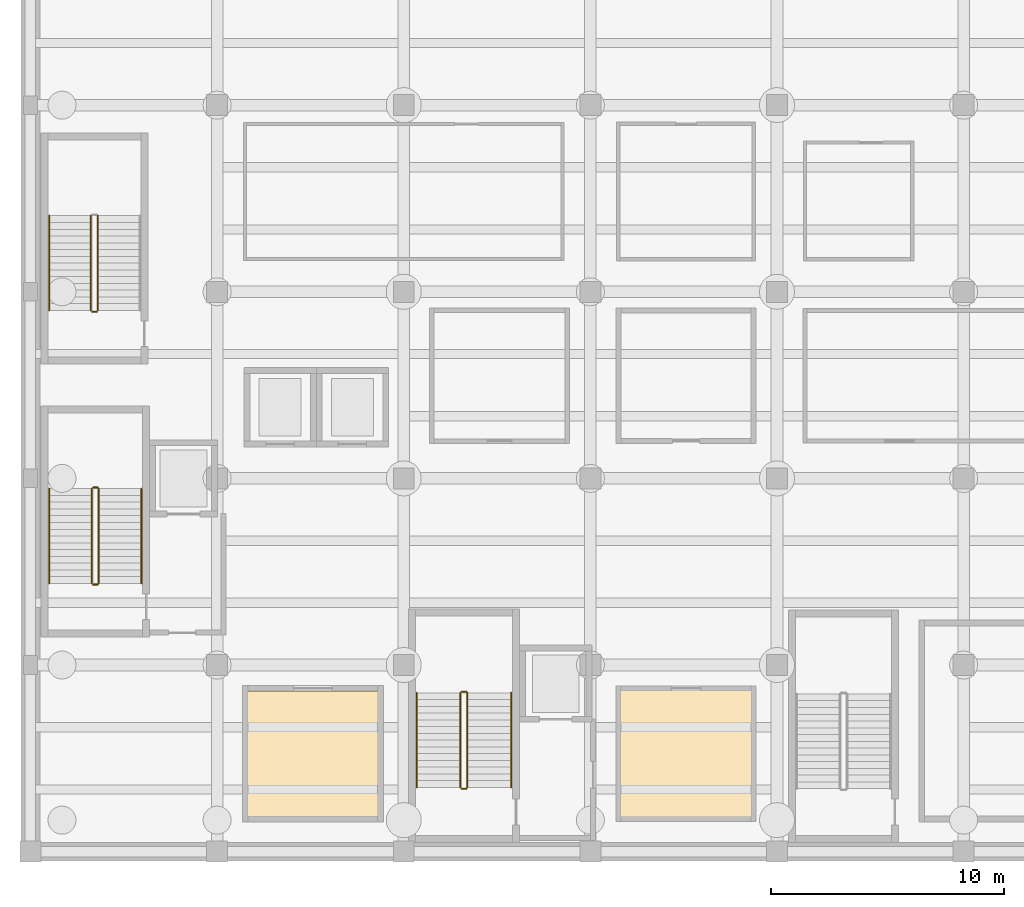
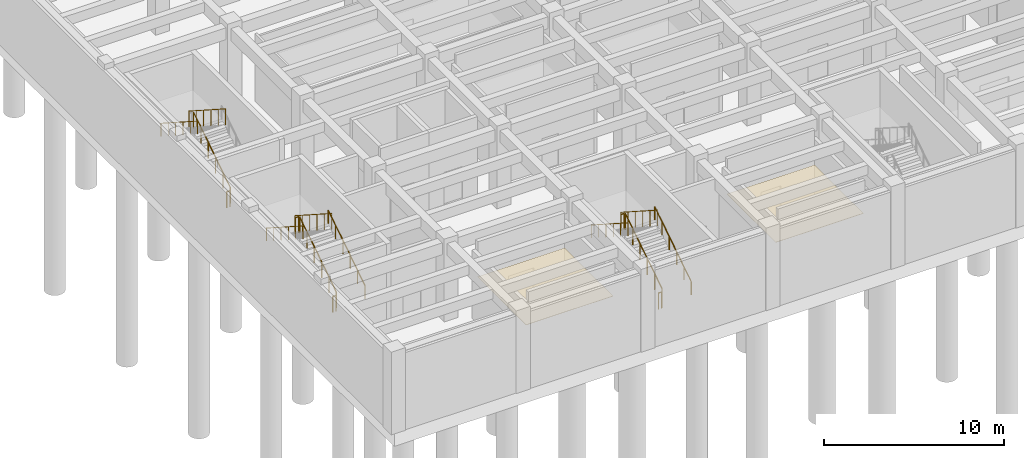
# One storey, part 13 of 18: 16 railings, 2 coverings.
"""IFC4 building model written with IfcOpenShell, lengths in metres."""

from ifc_helpers import new_model, si_unit, direction, frame, origin, origin_2d, place, context, subcontext, project, spatial, polyline, circle, outline, extrude, material, layer, layer_set, type_object, element, save


model = new_model("IFC4")

# Units and contexts
model_context = context("Model", 3, precision=1e-05, world=origin(), true_north=direction((0.0, 1.0)))
body_context = subcontext(model_context, "Body", "Model", "MODEL_VIEW")
ifc_project = project(units=[si_unit("LENGTHUNIT", "METRE"), si_unit("AREAUNIT", "SQUARE_METRE"), si_unit("VOLUMEUNIT", "CUBIC_METRE"), si_unit("PLANEANGLEUNIT", "RADIAN"), si_unit("MASSUNIT", "GRAM", prefix="KILO")], contexts=[model_context])

# Site, building, storey
site_placement = place(None, origin())
site = spatial("IfcSite", under=ifc_project, at=site_placement, CompositionType="ELEMENT")
building_placement = place(site_placement, origin())
building = spatial("IfcBuilding", under=site, at=building_placement, Name="Drelvath Fold Interchange", CompositionType="ELEMENT")
storey_placement = place(building_placement, frame((0.0, 0.0, -11.199951171875)))
storey = spatial("IfcBuildingStorey", under=building, at=storey_placement, Name="B2", CompositionType="ELEMENT", Elevation=-11.199951171875)

# Coverings
ifc_material_1 = material(Name="Perforated Aluminium Acoustic Ceiling", Category="aluminium")
ifc_layer = layer(ifc_material_1, 0.01806640625, Name="Perforated Aluminium Acoustic Ceiling")
ifc_layer_set = layer_set([ifc_layer], Name="Perforated Aluminium Acoustic Ceiling")
covering_type = type_object("IfcCoveringType", Name="CV-CEIL-AL18", PredefinedType="CEILING", material=ifc_layer_set)
covering_1_placement = place(storey_placement, frame((0.0, 0.0, 2.829833984375)))
element("IfcCovering", 1, at=covering_1_placement, inside=storey, type_object=covering_type, Name="Traction Power Substation West acoustic ceiling", PredefinedType="CEILING", context=body_context, shape_type="SweptSolid", body=[
    extrude(outline(polyline([(13.31201171875, 4.512939453125), (18.887939453125, 4.512939453125), (18.887939453125, 9.886962890625), (13.31201171875, 9.886962890625), (13.31201171875, 4.512939453125)])), origin(), (0.0, 0.0, 1.0), 0.02001953125),
])
covering_2_placement = place(storey_placement, frame((0.0, 0.0, 2.829833984375)))
element("IfcCovering", 2, at=covering_2_placement, inside=storey, type_object=covering_type, Name="Emergency UPS Battery Room acoustic ceiling", PredefinedType="CEILING", context=body_context, shape_type="SweptSolid", body=[
    extrude(outline(polyline([(29.294921875, 4.4951171875), (34.905029296875, 4.4951171875), (34.905029296875, 9.905029296875), (29.294921875, 9.905029296875), (29.294921875, 4.4951171875)])), origin(), (0.0, 0.0, 1.0), 0.02001953125),
])

# Railings
ifc_material_2 = material(Name="Stainless Steel 316L", Category="steel")
railing_type_1 = type_object("IfcRailingType", Name="RL-GRD1100", PredefinedType="GUARDRAIL", material=ifc_material_2)
railing_1_placement = place(storey_placement, frame((6.929931640625, 14.5, 0.1865234375)))
element("IfcRailing", 3, at=railing_1_placement, inside=storey, type_object=railing_type_1, Name="B2 ST-01 stair guard 1", PredefinedType="GUARDRAIL", context=body_context, shape_type="SweptSolid", body=[
    extrude(circle(Radius=0.02392578125, at=origin_2d()), frame((0.0, 0.0, 1.076171875), z_axis=(0.0, 0.840849756928, 0.541268589772), x_axis=(-1.0, 0.0, 0.0)), (0.0, 0.0, 1.0), 4.82861328125),
    extrude(circle(Radius=0.02099609375, at=origin_2d()), origin(), (0.0, 0.0, 1.0), 1.052001953125),
    extrude(circle(Radius=0.02099609375, at=origin_2d()), frame((0.0, 0.81201171875, 0.522705078125)), (0.0, 0.0, 1.0), 1.052001953125),
    extrude(circle(Radius=0.02099609375, at=origin_2d()), frame((0.0, 1.6240234375, 1.04541015625)), (0.0, 0.0, 1.0), 1.052001953125),
    extrude(circle(Radius=0.02099609375, at=origin_2d()), frame((0.0, 2.43603515625, 1.568115234375)), (0.0, 0.0, 1.0), 1.052001953125),
    extrude(circle(Radius=0.02099609375, at=origin_2d()), frame((0.0, 3.248046875, 2.0908203125)), (0.0, 0.0, 1.0), 1.052001953125),
    extrude(circle(Radius=0.02099609375, at=origin_2d()), frame((0.0, 4.06005859375, 2.613525390625)), (0.0, 0.0, 1.0), 1.052001953125),
])
railing_2_placement = place(storey_placement, frame((6.8798828125, 18.610107421875, 2.800048828125)))
element("IfcRailing", 4, at=railing_2_placement, inside=storey, type_object=railing_type_1, Name="B2 ST-01 stair guard 2", PredefinedType="GUARDRAIL", context=body_context, shape_type="SweptSolid", body=[
    extrude(circle(Radius=0.02392578125, at=origin_2d()), frame((0.0, 0.0, 1.076171875), z_axis=(-1.0, 0.0, 0.0), x_axis=(0.0, -1.0, 0.0)), (0.0, 0.0, 1.0), 0.199951171875),
    extrude(circle(Radius=0.02099609375, at=origin_2d()), origin(), (0.0, 0.0, 1.0), 1.052001953125),
    extrude(circle(Radius=0.02099609375, at=origin_2d()), frame((-0.199951171875, 0.0, 0.0)), (0.0, 0.0, 1.0), 1.052001953125),
])
railing_3_placement = place(storey_placement, frame((6.6298828125, 18.56005859375, 2.986572265625)))
element("IfcRailing", 5, at=railing_3_placement, inside=storey, type_object=railing_type_1, Name="B2 ST-01 stair guard 3", PredefinedType="GUARDRAIL", context=body_context, shape_type="SweptSolid", body=[
    extrude(circle(Radius=0.02392578125, at=origin_2d()), frame((0.0, 0.0, 1.076171875), z_axis=(0.0, -0.840872768958, 0.541232839382), x_axis=(1.0, 0.0, 0.0)), (0.0, 0.0, 1.0), 4.828369140625),
    extrude(circle(Radius=0.02099609375, at=origin_2d()), origin(), (0.0, 0.0, 1.0), 1.052001953125),
    extrude(circle(Radius=0.02099609375, at=origin_2d()), frame((0.0, -0.81201171875, 0.522705078125)), (0.0, 0.0, 1.0), 1.052001953125),
    extrude(circle(Radius=0.02099609375, at=origin_2d()), frame((0.0, -1.6240234375, 1.04541015625)), (0.0, 0.0, 1.0), 1.052001953125),
    extrude(circle(Radius=0.02099609375, at=origin_2d()), frame((0.0, -2.43603515625, 1.56787109375)), (0.0, 0.0, 1.0), 1.052001953125),
    extrude(circle(Radius=0.02099609375, at=origin_2d()), frame((0.0, -3.248046875, 2.090576171875)), (0.0, 0.0, 1.0), 1.052001953125),
    extrude(circle(Radius=0.02099609375, at=origin_2d()), frame((0.0, -4.06005859375, 2.61328125)), (0.0, 0.0, 1.0), 1.052001953125),
])
railing_4_placement = place(storey_placement, frame((6.8798828125, 14.449951171875, 0.0)))
element("IfcRailing", 6, at=railing_4_placement, inside=storey, type_object=railing_type_1, Name="B2 ST-01 stair guard 4", PredefinedType="GUARDRAIL", context=body_context, shape_type="SweptSolid", body=[
    extrude(circle(Radius=0.02392578125, at=origin_2d()), frame((0.0, 0.0, 1.076171875), z_axis=(-1.0, 0.0, 0.0), x_axis=(0.0, -1.0, 0.0)), (0.0, 0.0, 1.0), 0.199951171875),
    extrude(circle(Radius=0.02099609375, at=origin_2d()), origin(), (0.0, 0.0, 1.0), 1.052001953125),
    extrude(circle(Radius=0.02099609375, at=origin_2d()), frame((-0.199951171875, 0.0, 0.0)), (0.0, 0.0, 1.0), 1.052001953125),
])
railing_5_placement = place(storey_placement, frame((6.889892578125, 26.199951171875, 0.1865234375)))
element("IfcRailing", 7, at=railing_5_placement, inside=storey, type_object=railing_type_1, Name="B2 ST-02 stair guard 1", PredefinedType="GUARDRAIL", context=body_context, shape_type="SweptSolid", body=[
    extrude(circle(Radius=0.02392578125, at=origin_2d()), frame((0.0, 0.0, 1.076171875), z_axis=(0.0, 0.840849756928, 0.541268589772), x_axis=(-1.0, 0.0, 0.0)), (0.0, 0.0, 1.0), 4.82861328125),
    extrude(circle(Radius=0.02099609375, at=origin_2d()), origin(), (0.0, 0.0, 1.0), 1.052001953125),
    extrude(circle(Radius=0.02099609375, at=origin_2d()), frame((0.0, 0.81201171875, 0.522705078125)), (0.0, 0.0, 1.0), 1.052001953125),
    extrude(circle(Radius=0.02099609375, at=origin_2d()), frame((0.0, 1.6240234375, 1.04541015625)), (0.0, 0.0, 1.0), 1.052001953125),
    extrude(circle(Radius=0.02099609375, at=origin_2d()), frame((0.0, 2.43603515625, 1.568115234375)), (0.0, 0.0, 1.0), 1.052001953125),
    extrude(circle(Radius=0.02099609375, at=origin_2d()), frame((0.0, 3.248046875, 2.0908203125)), (0.0, 0.0, 1.0), 1.052001953125),
    extrude(circle(Radius=0.02099609375, at=origin_2d()), frame((0.0, 4.06005859375, 2.613525390625)), (0.0, 0.0, 1.0), 1.052001953125),
])
railing_6_placement = place(storey_placement, frame((6.590087890625, 30.260009765625, 2.986572265625)))
element("IfcRailing", 8, at=railing_6_placement, inside=storey, type_object=railing_type_1, Name="B2 ST-02 stair guard 3", PredefinedType="GUARDRAIL", context=body_context, shape_type="SweptSolid", body=[
    extrude(circle(Radius=0.02392578125, at=origin_2d()), frame((0.0, 0.0, 1.076171875), z_axis=(0.0, -0.840872768958, 0.541232839382), x_axis=(1.0, 0.0, 0.0)), (0.0, 0.0, 1.0), 4.828369140625),
    extrude(circle(Radius=0.02099609375, at=origin_2d()), origin(), (0.0, 0.0, 1.0), 1.052001953125),
    extrude(circle(Radius=0.02099609375, at=origin_2d()), frame((0.0, -0.81201171875, 0.522705078125)), (0.0, 0.0, 1.0), 1.052001953125),
    extrude(circle(Radius=0.02099609375, at=origin_2d()), frame((0.0, -1.6240234375, 1.04541015625)), (0.0, 0.0, 1.0), 1.052001953125),
    extrude(circle(Radius=0.02099609375, at=origin_2d()), frame((0.0, -2.43603515625, 1.56787109375)), (0.0, 0.0, 1.0), 1.052001953125),
    extrude(circle(Radius=0.02099609375, at=origin_2d()), frame((0.0, -3.248046875, 2.090576171875)), (0.0, 0.0, 1.0), 1.052001953125),
    extrude(circle(Radius=0.02099609375, at=origin_2d()), frame((0.0, -4.06005859375, 2.61328125)), (0.0, 0.0, 1.0), 1.052001953125),
])
railing_7_placement = place(storey_placement, frame((6.840087890625, 26.14990234375, 0.0)))
element("IfcRailing", 9, at=railing_7_placement, inside=storey, type_object=railing_type_1, Name="B2 ST-02 stair guard 4", PredefinedType="GUARDRAIL", context=body_context, shape_type="SweptSolid", body=[
    extrude(circle(Radius=0.02392578125, at=origin_2d()), frame((0.0, 0.0, 1.076171875), z_axis=(-1.0, 0.0, 0.0), x_axis=(0.0, -1.0, 0.0)), (0.0, 0.0, 1.0), 0.2001953125),
    extrude(circle(Radius=0.02099609375, at=origin_2d()), origin(), (0.0, 0.0, 1.0), 1.052001953125),
    extrude(circle(Radius=0.02099609375, at=origin_2d()), frame((-0.2001953125, 0.0, 0.0)), (0.0, 0.0, 1.0), 1.052001953125),
])
railing_8_placement = place(storey_placement, frame((22.72998046875, 5.75, 0.1865234375)))
element("IfcRailing", 10, at=railing_8_placement, inside=storey, type_object=railing_type_1, Name="B2 ST-03 stair guard 1", PredefinedType="GUARDRAIL", context=body_context, shape_type="SweptSolid", body=[
    extrude(circle(Radius=0.02392578125, at=origin_2d()), frame((0.0, 0.0, 1.076171875), z_axis=(0.0, 0.840849756928, 0.541268589772), x_axis=(-1.0, 0.0, 0.0)), (0.0, 0.0, 1.0), 4.82861328125),
    extrude(circle(Radius=0.02099609375, at=origin_2d()), origin(), (0.0, 0.0, 1.0), 1.052001953125),
    extrude(circle(Radius=0.02099609375, at=origin_2d()), frame((0.0, 0.81201171875, 0.522705078125)), (0.0, 0.0, 1.0), 1.052001953125),
    extrude(circle(Radius=0.02099609375, at=origin_2d()), frame((0.0, 1.6240234375, 1.04541015625)), (0.0, 0.0, 1.0), 1.052001953125),
    extrude(circle(Radius=0.02099609375, at=origin_2d()), frame((0.0, 2.43603515625, 1.568115234375)), (0.0, 0.0, 1.0), 1.052001953125),
    extrude(circle(Radius=0.02099609375, at=origin_2d()), frame((0.0, 3.248046875, 2.0908203125)), (0.0, 0.0, 1.0), 1.052001953125),
    extrude(circle(Radius=0.02099609375, at=origin_2d()), frame((0.0, 4.06005859375, 2.613525390625)), (0.0, 0.0, 1.0), 1.052001953125),
])
railing_9_placement = place(storey_placement, frame((22.679931640625, 9.860107421875, 2.800048828125)))
element("IfcRailing", 11, at=railing_9_placement, inside=storey, type_object=railing_type_1, Name="B2 ST-03 stair guard 2", PredefinedType="GUARDRAIL", context=body_context, shape_type="SweptSolid", body=[
    extrude(circle(Radius=0.02392578125, at=origin_2d()), frame((0.0, 0.0, 1.076171875), z_axis=(-1.0, 0.0, 0.0), x_axis=(0.0, -1.0, 0.0)), (0.0, 0.0, 1.0), 0.199951171875),
    extrude(circle(Radius=0.02099609375, at=origin_2d()), origin(), (0.0, 0.0, 1.0), 1.052001953125),
    extrude(circle(Radius=0.02099609375, at=origin_2d()), frame((-0.199951171875, 0.0, 0.0)), (0.0, 0.0, 1.0), 1.052001953125),
])
railing_10_placement = place(storey_placement, frame((22.429931640625, 9.81005859375, 2.986572265625)))
element("IfcRailing", 12, at=railing_10_placement, inside=storey, type_object=railing_type_1, Name="B2 ST-03 stair guard 3", PredefinedType="GUARDRAIL", context=body_context, shape_type="SweptSolid", body=[
    extrude(circle(Radius=0.02392578125, at=origin_2d()), frame((0.0, 0.0, 1.076171875), z_axis=(0.0, -0.840872768958, 0.541232839382), x_axis=(1.0, 0.0, 0.0)), (0.0, 0.0, 1.0), 4.828369140625),
    extrude(circle(Radius=0.02099609375, at=origin_2d()), origin(), (0.0, 0.0, 1.0), 1.052001953125),
    extrude(circle(Radius=0.02099609375, at=origin_2d()), frame((0.0, -0.81201171875, 0.522705078125)), (0.0, 0.0, 1.0), 1.052001953125),
    extrude(circle(Radius=0.02099609375, at=origin_2d()), frame((0.0, -1.6240234375, 1.04541015625)), (0.0, 0.0, 1.0), 1.052001953125),
    extrude(circle(Radius=0.02099609375, at=origin_2d()), frame((0.0, -2.43603515625, 1.56787109375)), (0.0, 0.0, 1.0), 1.052001953125),
    extrude(circle(Radius=0.02099609375, at=origin_2d()), frame((0.0, -3.248046875, 2.090576171875)), (0.0, 0.0, 1.0), 1.052001953125),
    extrude(circle(Radius=0.02099609375, at=origin_2d()), frame((0.0, -4.06005859375, 2.61328125)), (0.0, 0.0, 1.0), 1.052001953125),
])
railing_11_placement = place(storey_placement, frame((22.679931640625, 5.699951171875, 0.0)))
element("IfcRailing", 13, at=railing_11_placement, inside=storey, type_object=railing_type_1, Name="B2 ST-03 stair guard 4", PredefinedType="GUARDRAIL", context=body_context, shape_type="SweptSolid", body=[
    extrude(circle(Radius=0.02392578125, at=origin_2d()), frame((0.0, 0.0, 1.076171875), z_axis=(-1.0, 0.0, 0.0), x_axis=(0.0, -1.0, 0.0)), (0.0, 0.0, 1.0), 0.199951171875),
    extrude(circle(Radius=0.02099609375, at=origin_2d()), origin(), (0.0, 0.0, 1.0), 1.052001953125),
    extrude(circle(Radius=0.02099609375, at=origin_2d()), frame((-0.199951171875, 0.0, 0.0)), (0.0, 0.0, 1.0), 1.052001953125),
])
railing_type_2 = type_object("IfcRailingType", Name="RL-HND920", PredefinedType="HANDRAIL", material=ifc_material_2)
railing_12_placement = place(storey_placement, frame((8.760009765625, 14.5, 0.1865234375)))
element("IfcRailing", 14, at=railing_12_placement, inside=storey, type_object=railing_type_2, Name="B2 ST-01 stair handrail 1", PredefinedType="HANDRAIL", context=body_context, shape_type="SweptSolid", body=[
    extrude(circle(Radius=0.02392578125, at=origin_2d()), frame((0.0, 0.0, 0.8759765625), z_axis=(0.0, 0.840849756928, 0.541268589772), x_axis=(-1.0, 0.0, 0.0)), (0.0, 0.0, 1.0), 4.82861328125),
    extrude(circle(Radius=0.02099609375, at=origin_2d()), origin(), (0.0, 0.0, 1.0), 0.851806640625),
    extrude(circle(Radius=0.02099609375, at=origin_2d()), frame((0.0, 0.81201171875, 0.522705078125)), (0.0, 0.0, 1.0), 0.851806640625),
    extrude(circle(Radius=0.02099609375, at=origin_2d()), frame((0.0, 1.6240234375, 1.04541015625)), (0.0, 0.0, 1.0), 0.851806640625),
    extrude(circle(Radius=0.02099609375, at=origin_2d()), frame((0.0, 2.43603515625, 1.568115234375)), (0.0, 0.0, 1.0), 0.851806640625),
    extrude(circle(Radius=0.02099609375, at=origin_2d()), frame((0.0, 3.248046875, 2.0908203125)), (0.0, 0.0, 1.0), 0.851806640625),
    extrude(circle(Radius=0.02099609375, at=origin_2d()), frame((0.0, 4.06005859375, 2.613525390625)), (0.0, 0.0, 1.0), 0.851806640625),
])
for number, where, name in (
    (15, (4.800048828125, 18.56005859375, 2.986572265625), "B2 ST-01 stair handrail 2"),
    (16, (4.800048828125, 30.260009765625, 2.986572265625), "B2 ST-02 stair handrail 2"),
):
    element("IfcRailing", number, at=place(storey_placement, frame(where)), inside=storey, type_object=railing_type_2, Name=name, PredefinedType="HANDRAIL", context=body_context, shape_type="SweptSolid", body=[
        extrude(circle(Radius=0.02392578125, at=origin_2d()), frame((0.0, 0.0, 0.8759765625), z_axis=(0.0, -0.840872768958, 0.541232839382), x_axis=(1.0, 0.0, 0.0)), (0.0, 0.0, 1.0), 4.828369140625),
        extrude(circle(Radius=0.02099609375, at=origin_2d()), origin(), (0.0, 0.0, 1.0), 0.851806640625),
        extrude(circle(Radius=0.02099609375, at=origin_2d()), frame((0.0, -0.81201171875, 0.522705078125)), (0.0, 0.0, 1.0), 0.851806640625),
        extrude(circle(Radius=0.02099609375, at=origin_2d()), frame((0.0, -1.6240234375, 1.04541015625)), (0.0, 0.0, 1.0), 0.851806640625),
        extrude(circle(Radius=0.02099609375, at=origin_2d()), frame((0.0, -2.43603515625, 1.56787109375)), (0.0, 0.0, 1.0), 0.851806640625),
        extrude(circle(Radius=0.02099609375, at=origin_2d()), frame((0.0, -3.248046875, 2.090576171875)), (0.0, 0.0, 1.0), 0.851806640625),
        extrude(circle(Radius=0.02099609375, at=origin_2d()), frame((0.0, -4.06005859375, 2.61328125)), (0.0, 0.0, 1.0), 0.851806640625),
    ])
railing_13_placement = place(storey_placement, frame((24.610107421875, 5.75, 0.1865234375)))
element("IfcRailing", 17, at=railing_13_placement, inside=storey, type_object=railing_type_2, Name="B2 ST-03 stair handrail 1", PredefinedType="HANDRAIL", context=body_context, shape_type="SweptSolid", body=[
    extrude(circle(Radius=0.02392578125, at=origin_2d()), frame((0.0, 0.0, 0.8759765625), z_axis=(0.0, 0.840849756928, 0.541268589772), x_axis=(-1.0, 0.0, 0.0)), (0.0, 0.0, 1.0), 4.82861328125),
    extrude(circle(Radius=0.02099609375, at=origin_2d()), origin(), (0.0, 0.0, 1.0), 0.851806640625),
    extrude(circle(Radius=0.02099609375, at=origin_2d()), frame((0.0, 0.81201171875, 0.522705078125)), (0.0, 0.0, 1.0), 0.851806640625),
    extrude(circle(Radius=0.02099609375, at=origin_2d()), frame((0.0, 1.6240234375, 1.04541015625)), (0.0, 0.0, 1.0), 0.851806640625),
    extrude(circle(Radius=0.02099609375, at=origin_2d()), frame((0.0, 2.43603515625, 1.568115234375)), (0.0, 0.0, 1.0), 0.851806640625),
    extrude(circle(Radius=0.02099609375, at=origin_2d()), frame((0.0, 3.248046875, 2.0908203125)), (0.0, 0.0, 1.0), 0.851806640625),
    extrude(circle(Radius=0.02099609375, at=origin_2d()), frame((0.0, 4.06005859375, 2.613525390625)), (0.0, 0.0, 1.0), 0.851806640625),
])
railing_14_placement = place(storey_placement, frame((20.550048828125, 9.81005859375, 2.986572265625)))
element("IfcRailing", 18, at=railing_14_placement, inside=storey, type_object=railing_type_2, Name="B2 ST-03 stair handrail 2", PredefinedType="HANDRAIL", context=body_context, shape_type="SweptSolid", body=[
    extrude(circle(Radius=0.02392578125, at=origin_2d()), frame((0.0, 0.0, 0.8759765625), z_axis=(0.0, -0.840872768958, 0.541232839382), x_axis=(1.0, 0.0, 0.0)), (0.0, 0.0, 1.0), 4.828369140625),
    extrude(circle(Radius=0.02099609375, at=origin_2d()), origin(), (0.0, 0.0, 1.0), 0.851806640625),
    extrude(circle(Radius=0.02099609375, at=origin_2d()), frame((0.0, -0.81201171875, 0.522705078125)), (0.0, 0.0, 1.0), 0.851806640625),
    extrude(circle(Radius=0.02099609375, at=origin_2d()), frame((0.0, -1.6240234375, 1.04541015625)), (0.0, 0.0, 1.0), 0.851806640625),
    extrude(circle(Radius=0.02099609375, at=origin_2d()), frame((0.0, -2.43603515625, 1.56787109375)), (0.0, 0.0, 1.0), 0.851806640625),
    extrude(circle(Radius=0.02099609375, at=origin_2d()), frame((0.0, -3.248046875, 2.090576171875)), (0.0, 0.0, 1.0), 0.851806640625),
    extrude(circle(Radius=0.02099609375, at=origin_2d()), frame((0.0, -4.06005859375, 2.61328125)), (0.0, 0.0, 1.0), 0.851806640625),
])

save(model, "model.ifc")
